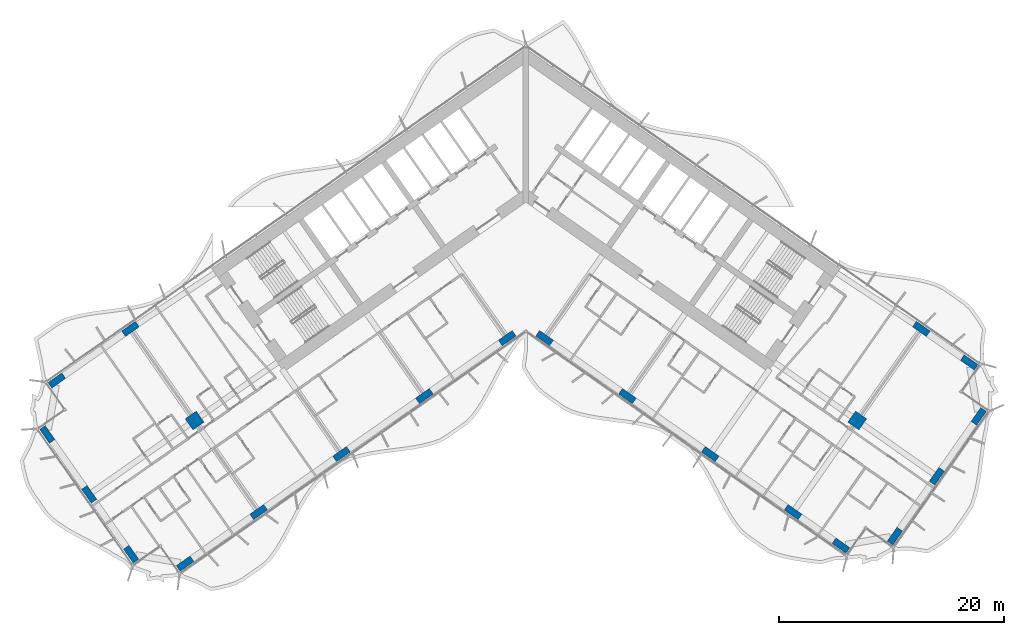
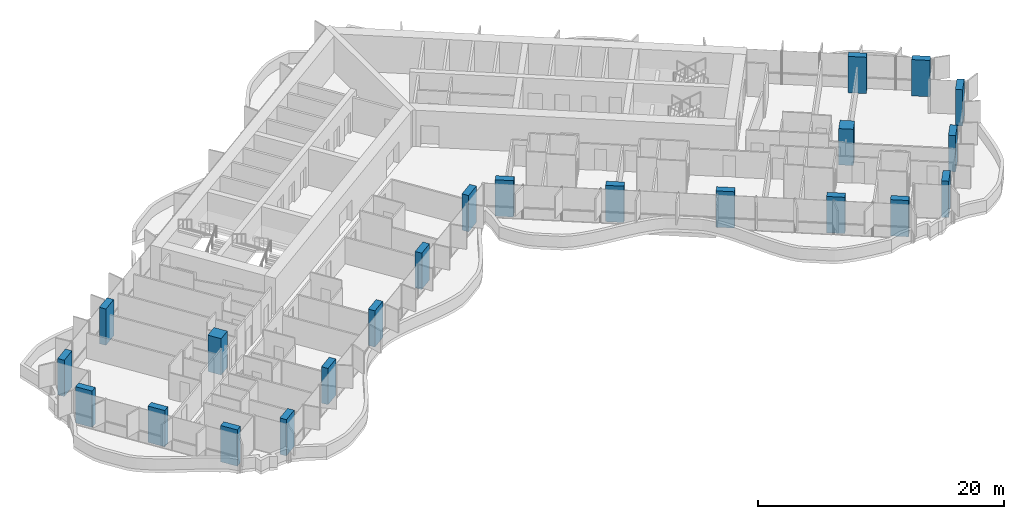
# One storey, part 1 of 24: 22 columns.
"""IFC4 building model written with IfcOpenShell, lengths in metres."""

from ifc_helpers import new_model, si_unit, direction, frame, origin, origin_2d, place, context, subcontext, project, spatial, rectangle, extrude, material, material_profile, profile_set, type_object, element, save


model = new_model("IFC4")

# Units and contexts
model_context = context("Model", 3, precision=1e-05, world=origin(), true_north=direction((0.0, 1.0)))
body_context = subcontext(model_context, "Body", "Model", "MODEL_VIEW")
ifc_project = project(units=[si_unit("LENGTHUNIT", "METRE"), si_unit("AREAUNIT", "SQUARE_METRE"), si_unit("VOLUMEUNIT", "CUBIC_METRE"), si_unit("PLANEANGLEUNIT", "RADIAN"), si_unit("MASSUNIT", "GRAM", prefix="KILO")], contexts=[model_context])

# Site, building, storey
site_placement = place(None, origin())
site = spatial("IfcSite", under=ifc_project, at=site_placement, CompositionType="ELEMENT")
building_placement = place(site_placement, origin())
building = spatial("IfcBuilding", under=site, at=building_placement, Name="Tel Ilan Convention Tower", CompositionType="ELEMENT")
storey_placement = place(building_placement, frame((0.0, 0.0, 90.5)))
storey = spatial("IfcBuildingStorey", under=building, at=storey_placement, Name="L18", CompositionType="ELEMENT", Elevation=90.5)

# Columns
ifc_material_1 = material(Name="Concrete C60/75", Category="concrete")
ifc_material_profile_1 = material_profile(ifc_material_1, rectangle(XDim=1.199951171875, YDim=1.199951171875, at=origin_2d()), Name="RC 1200x1200")
ifc_profile_set_1 = profile_set([ifc_material_profile_1], Name="Concrete C60/75")
column_type_1 = type_object("IfcColumnType", Name="Column RC 1200x1200 C60/75", PredefinedType="COLUMN", material=ifc_profile_set_1)
for number, where, z_axis, x_axis, name in (
    (1, (-29.489501953125, -20.648681640625, 0.0), (0.0, 0.0, 1.0), (-0.819152044289, -0.573576436351, 0.0), "L18 column W-M4"),
    (2, (29.489501953125, -20.648681640625, 0.0), (0.0, 0.0, 1.0), (0.819152044289, -0.573576436351, 0.0), "L18 column E-M4"),
):
    element("IfcColumn", number, at=place(storey_placement, frame(where, z_axis=z_axis, x_axis=x_axis)), inside=storey, type_object=column_type_1, Name=name, PredefinedType="COLUMN", context=body_context, shape_type="SweptSolid", body=[
        extrude(rectangle(XDim=1.199951171875, YDim=1.199951171875, at=origin_2d()), origin(), (0.0, 0.0, 1.0), 3.60009765625),
    ])
ifc_material_2 = material(Name="Concrete C60/75", Category="concrete")
ifc_material_profile_2 = material_profile(ifc_material_2, rectangle(XDim=1.5, YDim=0.60009765625, at=origin_2d()), Name="RC 600x1500")
ifc_profile_set_2 = profile_set([ifc_material_profile_2], Name="Concrete C60/75")
column_type_2 = type_object("IfcColumnType", Name="Column RC 600x1500 C60/75", PredefinedType="COLUMN", material=ifc_profile_set_2)
for number, where, z_axis, x_axis, name in (
    (3, (-1.665283203125, -13.312744140625, 0.0), (0.0, 0.0, 1.0), (-0.819152044289, -0.573576436351, 0.0), "L18 column W-F1"),
    (4, (-9.03759765625, -18.474853515625, 0.0), (0.0, 0.0, 1.0), (-0.819152044289, -0.573576436351, 0.0), "L18 column W-F2"),
    (5, (-16.409912109375, -23.63720703125, 0.0), (0.0, 0.0, 1.0), (-0.819152044289, -0.573576436351, 0.0), "L18 column W-F3"),
    (6, (-23.782470703125, -28.79931640625, 0.0), (0.0, 0.0, 1.0), (-0.819152044289, -0.573576436351, 0.0), "L18 column W-F4"),
    (7, (-30.335693359375, -33.387939453125, 0.0), (0.0, 0.0, 1.0), (-0.819152044289, -0.573576436351, 0.0), "L18 column W-FC"),
    (8, (-35.196533203125, -12.498291015625, 0.0), (0.0, 0.0, 1.0), (-0.819152044289, -0.573576436351, 0.0), "L18 column W-B4"),
    (9, (-41.749755859375, -17.0869140625, 0.0), (0.0, 0.0, 1.0), (-0.819152044289, -0.573576436351, 0.0), "L18 column W-BC"),
    (10, (-35.140380859375, -32.540771484375, 0.0), (0.0, 0.0, 1.0), (-0.573576436351, 0.819152044289, 0.0), "L18 column W-E1"),
    (11, (-38.868896484375, -27.21630859375, 0.0), (0.0, 0.0, 1.0), (-0.573576436351, 0.819152044289, 0.0), "L18 column W-E2"),
    (12, (-42.596923828125, -21.8916015625, 0.0), (0.0, 0.0, 1.0), (-0.573576436351, 0.819152044289, 0.0), "L18 column W-E3"),
    (13, (1.665283203125, -13.312744140625, 0.0), (0.0, 0.0, 1.0), (0.819152044289, -0.573576436351, 0.0), "L18 column E-F1"),
    (14, (9.03759765625, -18.474853515625, 0.0), (0.0, 0.0, 1.0), (0.819152044289, -0.573576436351, 0.0), "L18 column E-F2"),
    (15, (16.409912109375, -23.63720703125, 0.0), (0.0, 0.0, 1.0), (0.819152044289, -0.573576436351, 0.0), "L18 column E-F3"),
    (16, (23.782470703125, -28.79931640625, 0.0), (0.0, 0.0, 1.0), (0.819152044289, -0.573576436351, 0.0), "L18 column E-F4"),
    (17, (28.0419921875, -31.781982421875, 0.0), (0.0, 0.0, 1.0), (0.819152044289, -0.573576436351, 0.0), "L18 column E-FC"),
    (18, (35.196533203125, -12.498291015625, 0.0), (0.0, 0.0, 1.0), (0.819152044289, -0.573576436351, 0.0), "L18 column E-B4"),
    (19, (39.4560546875, -15.480712890625, 0.0), (0.0, 0.0, 1.0), (0.819152044289, -0.573576436351, 0.0), "L18 column E-BC"),
    (20, (32.846923828125, -30.934814453125, 0.0), (0.0, 0.0, 1.0), (0.573576436351, 0.819152044289, 0.0), "L18 column E-E1"),
    (21, (36.5751953125, -25.610107421875, 0.0), (0.0, 0.0, 1.0), (0.573576436351, 0.819152044289, 0.0), "L18 column E-E2"),
    (22, (40.303466796875, -20.28564453125, 0.0), (0.0, 0.0, 1.0), (0.573576436351, 0.819152044289, 0.0), "L18 column E-E3"),
):
    element("IfcColumn", number, at=place(storey_placement, frame(where, z_axis=z_axis, x_axis=x_axis)), inside=storey, type_object=column_type_2, Name=name, PredefinedType="COLUMN", context=body_context, shape_type="SweptSolid", body=[
        extrude(rectangle(XDim=1.5, YDim=0.60009765625, at=origin_2d()), origin(), (0.0, 0.0, 1.0), 3.60009765625),
    ])

save(model, "model.ifc")
